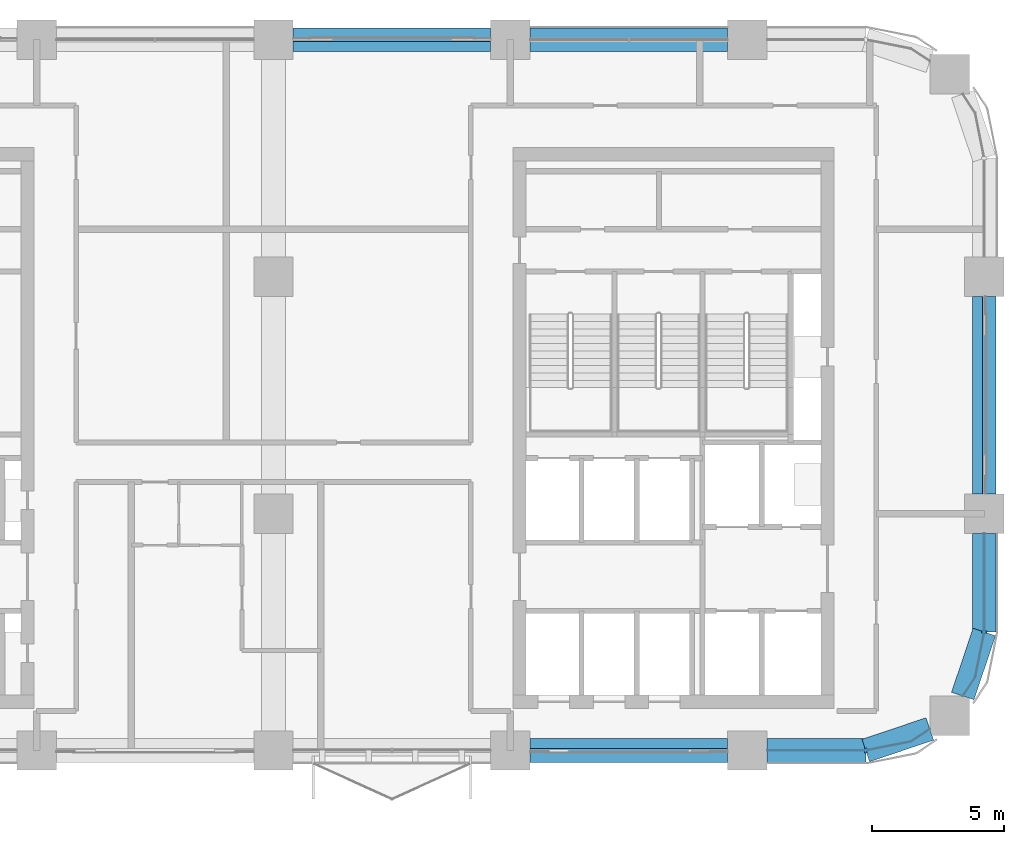
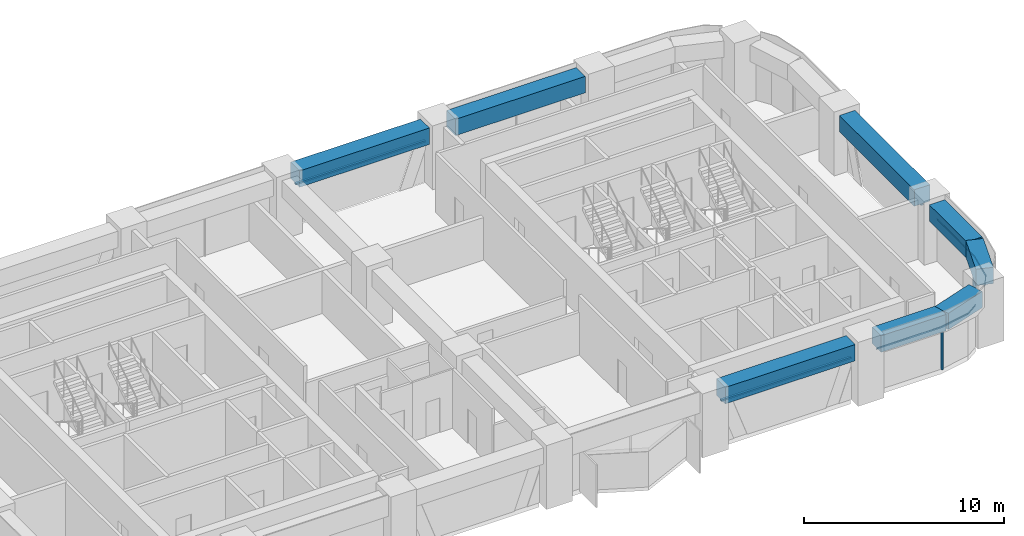
# One storey, part 5 of 14: 8 beams, 7 members, 5 elements without a shape of their own.
"""IFC4 building model written with IfcOpenShell, lengths in metres."""

from ifc_helpers import new_model, si_unit, direction, frame, origin, origin_2d, place, context, subcontext, project, spatial, polyline, rectangle, outline, extrude, material, material_profile, profile_set, type_object, element, aggregate, save


model = new_model("IFC4")

# Units and contexts
model_context = context("Model", 3, precision=1e-05, world=origin(), true_north=direction((0.0, 1.0)))
body_context = subcontext(model_context, "Body", "Model", "MODEL_VIEW")
ifc_project = project(units=[si_unit("LENGTHUNIT", "METRE"), si_unit("AREAUNIT", "SQUARE_METRE"), si_unit("VOLUMEUNIT", "CUBIC_METRE"), si_unit("PLANEANGLEUNIT", "RADIAN"), si_unit("MASSUNIT", "GRAM", prefix="KILO")], contexts=[model_context])

# Site, building, storey
site_placement = place(None, origin())
site = spatial("IfcSite", under=ifc_project, at=site_placement, CompositionType="ELEMENT")
building_placement = place(site_placement, origin())
building = spatial("IfcBuilding", under=site, at=building_placement, Name="Tessera Arch", CompositionType="ELEMENT")
storey_placement = place(building_placement, frame((0.0, 0.0, 146.60009765625)))
storey = spatial("IfcBuildingStorey", under=building, at=storey_placement, Name="L34", CompositionType="ELEMENT", Elevation=146.60009765625)

# Curtain wall, member
ifc_material_1 = material(Name="CW2 curtain wall")
curtain_wall_type_1 = type_object("IfcCurtainWallType", Name="CW2 curtain wall", PredefinedType="NOTDEFINED", material=ifc_material_1)
curtain_wall_1_placement = place(storey_placement, origin())
curtain_wall_1 = element("IfcCurtainWall", 1, at=curtain_wall_1_placement, inside=storey, type_object=curtain_wall_type_1, Name="CW2 curtain wall S27.0/5 L34", PredefinedType="NOTDEFINED")
ifc_material_2 = material(Name="Anodised aluminium pale metal", Category="aluminium")
ifc_material_profile_1 = material_profile(ifc_material_2, rectangle(XDim=0.199951171875, YDim=0.080078125, at=origin_2d()), Name="AL 80x200")
ifc_profile_set_1 = profile_set([ifc_material_profile_1], Name="Anodised aluminium pale metal")
member_type_1 = type_object("IfcMemberType", Name="CW2 mullion", PredefinedType="MULLION", material=ifc_profile_set_1)
member_1_placement = place(storey_placement, frame((49.5, 27.0, 0.0), z_axis=(0.0, 0.0, 1.0), x_axis=(0.0, 1.0, 0.0)))
member_1 = element("IfcMember", 2, at=member_1_placement, type_object=member_type_1, Name="CW2 mullion S27.0/5 1", PredefinedType="MULLION", context=body_context, shape_type="SweptSolid", body=[
    extrude(rectangle(XDim=0.199951171875, YDim=0.080078125, at=origin_2d()), origin(), (0.0, 0.0, 1.0), 2.5),
])

curtain_wall_2_placement = place(storey_placement, origin())
curtain_wall_2 = element("IfcCurtainWall", 3, at=curtain_wall_2_placement, inside=storey, type_object=curtain_wall_type_1, Name="CW2 curtain wall E54.27/2 L34", PredefinedType="NOTDEFINED")
member_2_placement = place(storey_placement, frame((54.0, 31.5, 0.0), z_axis=(0.0, 0.0, 1.0), x_axis=(-1.0, 0.0, 0.0)))
member_2 = element("IfcMember", 4, at=member_2_placement, type_object=member_type_1, Name="CW2 mullion E54.27/2 1", PredefinedType="MULLION", context=body_context, shape_type="SweptSolid", body=[
    extrude(rectangle(XDim=0.199951171875, YDim=0.080078125, at=origin_2d()), origin(), (0.0, 0.0, 1.0), 2.5),
])

# Member
ifc_material_3 = material(Name="Anodised aluminium pale metal", Category="aluminium")
ifc_material_profile_2 = material_profile(ifc_material_3, rectangle(XDim=0.199951171875, YDim=0.10009765625, at=origin_2d()), Name="AL 200x100")
ifc_profile_set_2 = profile_set([ifc_material_profile_2], Name="Anodised aluminium pale metal")
member_type_2 = type_object("IfcMemberType", Name="CW2 transom", PredefinedType="USERDEFINED", material=ifc_profile_set_2)
member_3_placement = place(storey_placement, frame((0.0, 0.0, 2.5)))
member_3 = element("IfcMember", 5, at=member_3_placement, type_object=member_type_2, Name="CW2 transom S27.0/5 1", ObjectType="TRANSOM", PredefinedType="USERDEFINED", context=body_context, shape_type="SweptSolid", body=[
    extrude(outline(polyline([(49.4990234375, 27.010009765625), (45.75, 27.010009765625), (45.75, 26.989990234375), (49.5009765625, 26.989990234375), (51.22607421875, 27.3330078125), (51.9375, 27.80859375), (51.926513671875, 27.8251953125), (51.21826171875, 27.351806640625), (49.4990234375, 27.010009765625)])), origin(), (0.0, 0.0, 1.0), 0.099853515625),
])

aggregate(curtain_wall_1, [member_1, member_3])

member_4_placement = place(storey_placement, frame((0.0, 0.0, 2.5)))
member_4 = element("IfcMember", 6, at=member_4_placement, type_object=member_type_2, Name="CW2 transom E54.27/2 1", ObjectType="TRANSOM", PredefinedType="USERDEFINED", context=body_context, shape_type="SweptSolid", body=[
    extrude(outline(polyline([(53.648193359375, 29.78173828125), (53.1748046875, 29.073486328125), (53.19140625, 29.0625), (53.6669921875, 29.77392578125), (54.010009765625, 31.4990234375), (54.010009765625, 35.25), (53.989990234375, 35.25), (53.989990234375, 31.5009765625), (53.648193359375, 29.78173828125)])), origin(), (0.0, 0.0, 1.0), 0.099853515625),
])

aggregate(curtain_wall_2, [member_2, member_4])

# Curtain wall, member
ifc_material_4 = material(Name="CW3 curtain wall")
curtain_wall_type_2 = type_object("IfcCurtainWallType", Name="CW3 curtain wall", PredefinedType="NOTDEFINED", material=ifc_material_4)
curtain_wall_3_placement = place(storey_placement, origin())
curtain_wall_3 = element("IfcCurtainWall", 7, at=curtain_wall_3_placement, inside=storey, type_object=curtain_wall_type_2, Name="CW3 curtain wall E54.27/0 L34", PredefinedType="NOTDEFINED")
ifc_material_5 = material(Name="Anodised aluminium pale metal", Category="aluminium")
ifc_material_profile_3 = material_profile(ifc_material_5, rectangle(XDim=0.139892578125, YDim=0.10009765625, at=origin_2d()), Name="AL 140x100")
ifc_profile_set_3 = profile_set([ifc_material_profile_3], Name="Anodised aluminium pale metal")
member_type_3 = type_object("IfcMemberType", Name="CW3 transom", PredefinedType="USERDEFINED", material=ifc_profile_set_3)
member_5_placement = place(storey_placement, frame((54.0, 36.75, 2.5498046875), z_axis=(0.0, 1.0, 0.0), x_axis=(-1.0, 0.0, 0.0)))
member_5 = element("IfcMember", 8, at=member_5_placement, type_object=member_type_3, Name="CW3 transom E54.27/0 1.1", ObjectType="TRANSOM", PredefinedType="USERDEFINED", context=body_context, shape_type="SweptSolid", body=[
    extrude(rectangle(XDim=0.139892578125, YDim=0.10009765625, at=origin_2d()), origin(), (0.0, 0.0, 1.0), 7.5),
])
aggregate(curtain_wall_3, [member_5])

curtain_wall_4_placement = place(storey_placement, origin())
curtain_wall_4 = element("IfcCurtainWall", 9, at=curtain_wall_4_placement, inside=storey, type_object=curtain_wall_type_2, Name="CW3 curtain wall N54.0/2 L34", PredefinedType="NOTDEFINED")
member_6_placement = place(storey_placement, frame((35.25, 54.0, 2.5498046875), z_axis=(-1.0, 0.0, 0.0), x_axis=(0.0, -1.0, 0.0)))
member_6 = element("IfcMember", 10, at=member_6_placement, type_object=member_type_3, Name="CW3 transom N54.0/2 1.1", ObjectType="TRANSOM", PredefinedType="USERDEFINED", context=body_context, shape_type="SweptSolid", body=[
    extrude(rectangle(XDim=0.139892578125, YDim=0.10009765625, at=origin_2d()), origin(), (0.0, 0.0, 1.0), 7.5),
])
aggregate(curtain_wall_4, [member_6])

curtain_wall_5_placement = place(storey_placement, origin())
curtain_wall_5 = element("IfcCurtainWall", 11, at=curtain_wall_5_placement, inside=storey, type_object=curtain_wall_type_2, Name="CW3 curtain wall S27.0/4 L34", PredefinedType="NOTDEFINED")
member_7_placement = place(storey_placement, frame((36.75, 27.0, 2.5498046875), z_axis=(1.0, 0.0, 0.0), x_axis=(0.0, 1.0, 0.0)))
member_7 = element("IfcMember", 12, at=member_7_placement, type_object=member_type_3, Name="CW3 transom S27.0/4 1.1", ObjectType="TRANSOM", PredefinedType="USERDEFINED", context=body_context, shape_type="SweptSolid", body=[
    extrude(rectangle(XDim=0.139892578125, YDim=0.10009765625, at=origin_2d()), origin(), (0.0, 0.0, 1.0), 7.5),
])
aggregate(curtain_wall_5, [member_7])

# Beams
ifc_material_6 = material(Name="Concrete C70/85", Category="concrete")
ifc_material_profile_4 = material_profile(ifc_material_6, rectangle(XDim=0.89990234375, YDim=1.0, at=origin_2d()), Name="RC spandrel beam 900 x 1000 Concrete C70/85")
ifc_profile_set_4 = profile_set([ifc_material_profile_4], Name="Concrete C70/85")
beam_type = type_object("IfcBeamType", Name="RC spandrel beam 900 x 1000 Concrete C70/85", PredefinedType="BEAM", material=ifc_profile_set_4)
for number, where, z_axis, x_axis, name in (
    (13, (54.0, 36.75, 3.099853515625), (0.0, 1.0, 0.0), (-1.0, 0.0, 0.0), "Spandrel beam L34 E54.27/0"),
    (14, (44.25, 54.0, 3.099853515625), (-1.0, 0.0, 0.0), (0.0, -1.0, 0.0), "Spandrel beam L34 N54.0/1"),
    (15, (35.25, 54.0, 3.099853515625), (-1.0, 0.0, 0.0), (0.0, -1.0, 0.0), "Spandrel beam L34 N54.0/2"),
    (16, (36.75, 27.0, 3.099853515625), (1.0, 0.0, 0.0), (0.0, 1.0, 0.0), "Spandrel beam L34 S27.0/4"),
):
    element("IfcBeam", number, at=place(storey_placement, frame(where, z_axis=z_axis, x_axis=x_axis)), inside=storey, type_object=beam_type, Name=name, PredefinedType="BEAM", context=body_context, shape_type="SweptSolid", body=[
        extrude(rectangle(XDim=0.89990234375, YDim=1.0, at=origin_2d()), origin(), (0.0, 0.0, 1.0), 7.5),
    ])
beam_1_placement = place(storey_placement, frame((45.75, 27.0, 3.099853515625), z_axis=(1.0, 0.0, 0.0), x_axis=(0.0, 1.0, 0.0)))
element("IfcBeam", 17, at=beam_1_placement, inside=storey, type_object=beam_type, Name="Spandrel beam L34 S27.0/5.1", PredefinedType="BEAM", context=body_context, shape_type="SweptSolid", body=[
    extrude(rectangle(XDim=0.89990234375, YDim=1.0, at=origin_2d()), origin(), (0.0, 0.0, 1.0), 3.75),
])
for number, where, z_axis, x_axis, name in (
    (18, (49.5, 27.0, 3.099853515625), (0.947947973234, 0.31842525032, 0.0), (-0.31842525032, 0.947947973234, 0.0), "Spandrel beam L34 S27.0/5.2"),
    (19, (53.18310546875, 29.068115234375, 3.099853515625), (0.31842525032, 0.947947973234, 0.0), (-0.947947973234, 0.31842525032, 0.0), "Spandrel beam L34 E54.27/2.1"),
):
    element("IfcBeam", number, at=place(storey_placement, frame(where, z_axis=z_axis, x_axis=x_axis)), inside=storey, type_object=beam_type, Name=name, PredefinedType="BEAM", context=body_context, shape_type="SweptSolid", body=[
        extrude(rectangle(XDim=0.89990234375, YDim=1.0, at=origin_2d()), origin(), (0.0, 0.0, 1.0), 2.5654296875),
    ])
beam_2_placement = place(storey_placement, frame((54.0, 31.5, 3.099853515625), z_axis=(0.0, 1.0, 0.0), x_axis=(-1.0, 0.0, 0.0)))
element("IfcBeam", 20, at=beam_2_placement, inside=storey, type_object=beam_type, Name="Spandrel beam L34 E54.27/2.2", PredefinedType="BEAM", context=body_context, shape_type="SweptSolid", body=[
    extrude(rectangle(XDim=0.89990234375, YDim=1.0, at=origin_2d()), origin(), (0.0, 0.0, 1.0), 3.75),
])

save(model, "model.ifc")
